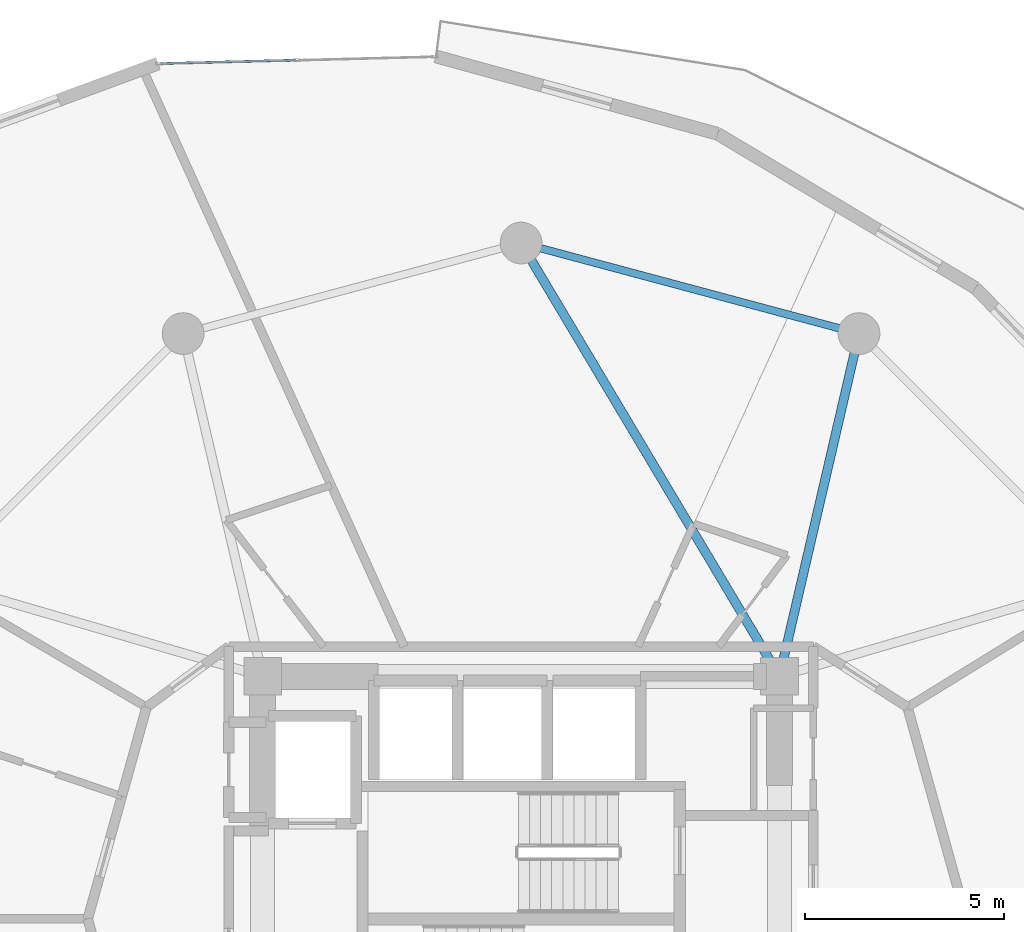
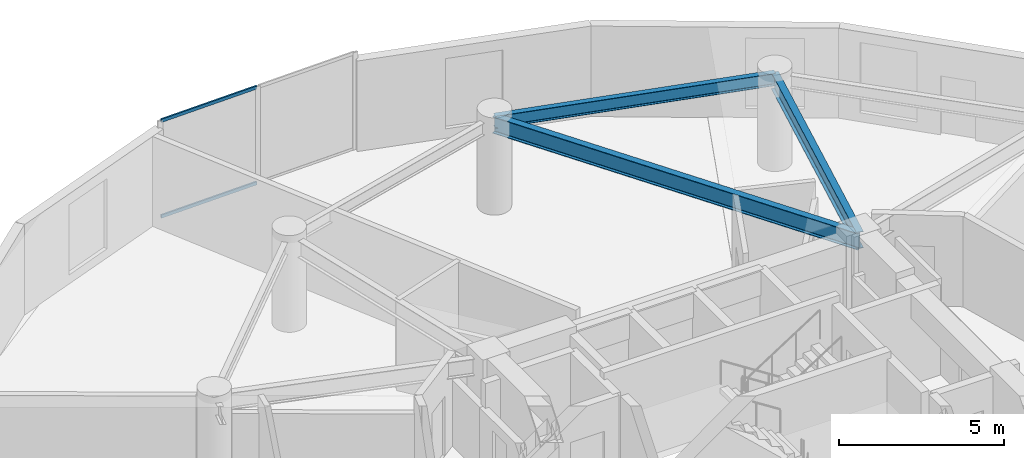
# One storey, part 17 of 25: 3 beams, 2 members, 1 element without a shape of its own.
"""IFC4 building model written with IfcOpenShell, lengths in metres."""

from ifc_helpers import new_model, si_unit, direction, frame, origin, origin_2d, place, context, subcontext, project, spatial, hollow_rectangle, i_section, extrude, source, transform, mapped, material, layer, layer_set, material_profile, profile_set, type_object, element, aggregate, save


model = new_model("IFC4")

# Units and contexts
model_context = context("Model", 3, precision=1e-05, world=origin(), true_north=direction((0.0, 1.0)))
body_context = subcontext(model_context, "Body", "Model", "MODEL_VIEW")
ifc_project = project(units=[si_unit("LENGTHUNIT", "METRE"), si_unit("AREAUNIT", "SQUARE_METRE"), si_unit("VOLUMEUNIT", "CUBIC_METRE"), si_unit("PLANEANGLEUNIT", "RADIAN"), si_unit("MASSUNIT", "GRAM", prefix="KILO")], contexts=[model_context])

# Site, building, storey
site_placement = place(None, origin())
site = spatial("IfcSite", under=ifc_project, at=site_placement, CompositionType="ELEMENT")
building_placement = place(site_placement, origin())
building = spatial("IfcBuilding", under=site, at=building_placement, Name="Solvirekh Grand Hotel", CompositionType="ELEMENT")
storey_placement = place(building_placement, frame((0.0, 0.0, 127.800048828125)))
storey = spatial("IfcBuildingStorey", under=building, at=storey_placement, Name="L32", CompositionType="ELEMENT", Elevation=127.800048828125)

# Beams
ifc_material_1 = material(Name="Steel S355", Category="steel")
ifc_material_profile_1 = material_profile(ifc_material_1, i_section(OverallWidth=0.22802734375, OverallDepth=0.616943359375, WebThickness=0.012939453125, FlangeThickness=0.02001953125, FilletRadius=0.014892578125, at=origin_2d()), Name="W610X140")
ifc_profile_set_1 = profile_set([ifc_material_profile_1], Name="Steel S355")
beam_type_1 = type_object("IfcBeamType", Name="Beam_Radial_W610", PredefinedType="BEAM", material=ifc_profile_set_1)
beam_1_placement = place(storey_placement, frame((6.5, 6.10009765625, 3.041015625), z_axis=(0.225969390542, 0.974134402707, 0.0), x_axis=(-0.974134402707, 0.225969390542, 0.0)))
element("IfcBeam", 1, at=beam_1_placement, inside=storey, type_object=beam_type_1, Name="L32 radial floor beam R03", PredefinedType="BEAM", context=body_context, shape_type="SweptSolid", body=[
    extrude(i_section(OverallWidth=0.22802734375, OverallDepth=0.616943359375, WebThickness=0.012939453125, FlangeThickness=0.02001953125, FilletRadius=0.014892578125, at=origin_2d()), origin(), (0.0, 0.0, 1.0), 8.850830078125),
])
beam_2_placement = place(storey_placement, frame((6.5, 6.10009765625, 3.041015625), z_axis=(-0.512179721377, 0.858878299301, 0.0), x_axis=(-0.858878299301, -0.512179721377, 0.0)))
element("IfcBeam", 2, at=beam_2_placement, inside=storey, type_object=beam_type_1, Name="L32 radial floor beam R04", PredefinedType="BEAM", context=body_context, shape_type="SweptSolid", body=[
    extrude(i_section(OverallWidth=0.22802734375, OverallDepth=0.616943359375, WebThickness=0.012939453125, FlangeThickness=0.02001953125, FilletRadius=0.014892578125, at=origin_2d()), origin(), (0.0, 0.0, 1.0), 12.69091796875),
])
ifc_material_profile_2 = material_profile(ifc_material_1, i_section(OverallWidth=0.18994140625, OverallDepth=0.45703125, WebThickness=0.009033203125, FlangeThickness=0.013916015625, FilletRadius=0.012939453125, at=origin_2d()), Name="W460X74")
ifc_profile_set_2 = profile_set([ifc_material_profile_2], Name="Steel S355")
beam_type_2 = type_object("IfcBeamType", Name="Spandrel_Ring_W460", PredefinedType="SPANDREL", material=ifc_profile_set_2)
beam_3_placement = place(storey_placement, frame((8.5, 14.721923828125, 3.1220703125), z_axis=(-0.965911391906, 0.258872908946, 0.0), x_axis=(-0.258872908946, -0.965911391906, 0.0)))
element("IfcBeam", 3, at=beam_3_placement, inside=storey, type_object=beam_type_2, Name="L32 perimeter spandrel beam 3", PredefinedType="SPANDREL", context=body_context, shape_type="SweptSolid", body=[
    extrude(i_section(OverallWidth=0.18994140625, OverallDepth=0.45703125, WebThickness=0.009033203125, FlangeThickness=0.013916015625, FilletRadius=0.012939453125, at=origin_2d()), origin(), (0.0, 0.0, 1.0), 8.800048828125),
])

# Curtain wall, members
ifc_material_2 = material(Name="Anodized Bronze Aluminium 6063-T6", Category="aluminium")
ifc_layer = layer(ifc_material_2, 0.175048828125)
ifc_layer_set = layer_set([ifc_layer], Name="Anodized Bronze Aluminium 6063-T6")
curtain_wall_type = type_object("IfcCurtainWallType", Name="CW_Sys3_MidZoneFlushBronzeCW", PredefinedType="NOTDEFINED", material=ifc_layer_set)
curtain_wall_placement = place(storey_placement, origin())
curtain_wall = element("IfcCurtainWall", 4, at=curtain_wall_placement, inside=storey, type_object=curtain_wall_type, Name="L32 unitised bronze-glass curtain wall CW-L32-C08", PredefinedType="NOTDEFINED")
ifc_material_profile_3 = material_profile(ifc_material_2, hollow_rectangle(XDim=0.054931640625, YDim=0.1201171875, WallThickness=0.00390625, at=origin_2d()), Name="ALU RHS 120X55X4")
ifc_profile_set_3 = profile_set([ifc_material_profile_3], Name="Anodized Bronze Aluminium 6063-T6")
member_type = type_object("IfcMemberType", Name="CWTransom_Sys3", PredefinedType="USERDEFINED", material=ifc_profile_set_3)
shared_shape = source(origin(), body_context, "Body", "SweptSolid", [
    extrude(hollow_rectangle(XDim=0.054931640625, YDim=0.1201171875, WallThickness=0.00390625, at=origin_2d()), origin(), (0.0, 0.0, 1.0), 3.3974609375),
])
member_1_placement = place(storey_placement, frame((-5.6708984375, 21.602783203125, 0.02734375), z_axis=(-0.99967086408, -0.025654697612, 0.0), x_axis=(0.025654697612, -0.99967086408, 0.0)))
member_1 = element("IfcMember", 5, at=member_1_placement, type_object=member_type, Name="U03 transom 2.1", ObjectType="TRANSOM", PredefinedType="USERDEFINED", context=body_context, shape_type="MappedRepresentation", body=[
    mapped(shared_shape, transform((0.0, 0.0, 0.0), x_axis=(1.0, 0.0, 0.0), y_axis=(0.0, 1.0, 0.0), z_axis=(0.0, 0.0, 1.0), scale=1.0)),
])
member_2_placement = place(storey_placement, frame((-5.6708984375, 21.602783203125, 3.572509765625), z_axis=(-0.99967086408, -0.025654697612, 0.0), x_axis=(0.025654697612, -0.99967086408, 0.0)))
member_2 = element("IfcMember", 6, at=member_2_placement, type_object=member_type, Name="U03 transom 2.2", ObjectType="TRANSOM", PredefinedType="USERDEFINED", context=body_context, shape_type="MappedRepresentation", body=[
    mapped(shared_shape, transform((0.0, 0.0, 0.0), x_axis=(1.0, 0.0, 0.0), y_axis=(0.0, 1.0, 0.0), z_axis=(0.0, 0.0, 1.0), scale=1.0)),
])
aggregate(curtain_wall, [member_1, member_2])

save(model, "model.ifc")
